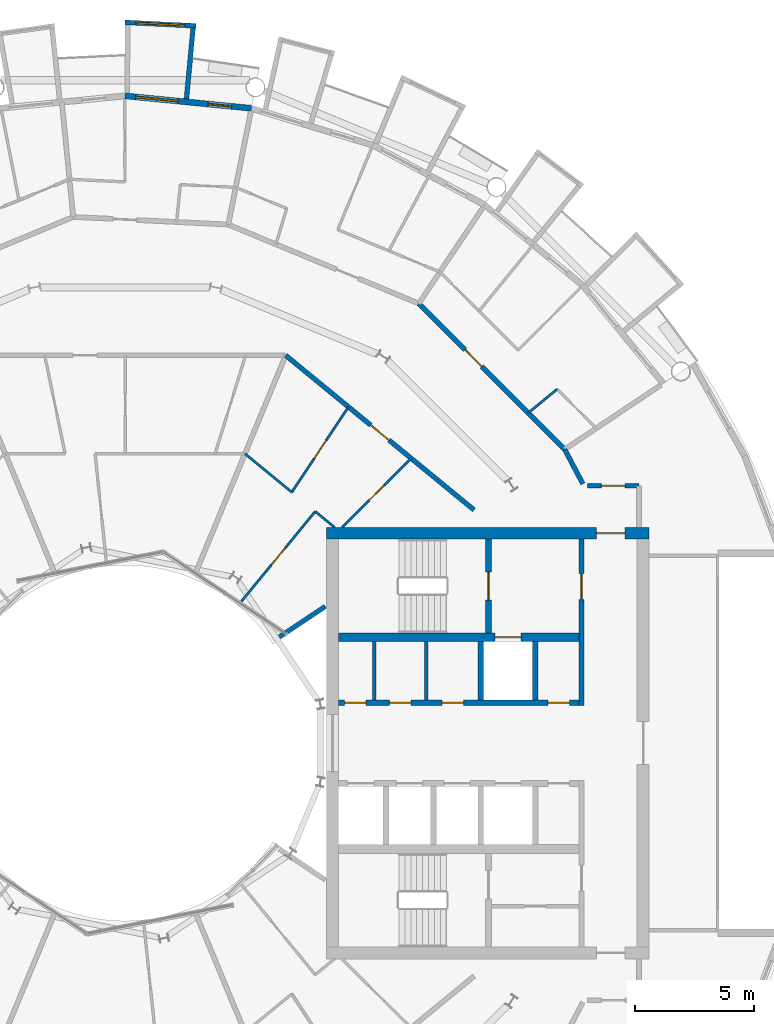
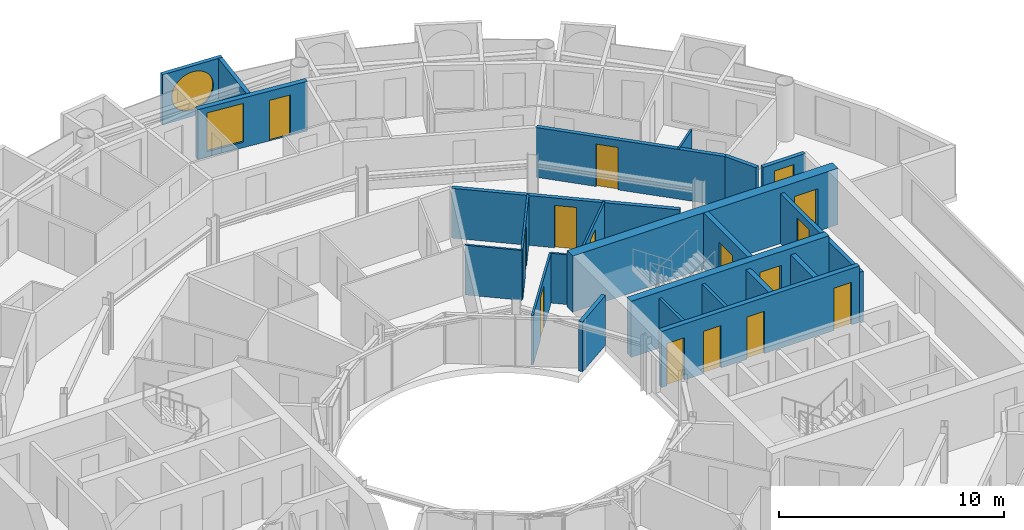
# One storey, part 22 of 28: 23 walls, 15 doors, 2 windows, 17 openings.
"""IFC4 building model written with IfcOpenShell, lengths in metres."""

from ifc_helpers import new_model, si_unit, direction, frame, frame_2d, origin, place, context, subcontext, project, spatial, rectangle, circle, extrude, material, layer, layer_set, type_object, element, fill, save


model = new_model("IFC4")

# Units and contexts
model_context = context("Model", 3, precision=1e-05, world=origin(), true_north=direction((0.0, 1.0)))
body_context = subcontext(model_context, "Body", "Model", "MODEL_VIEW")
ifc_project = project(units=[si_unit("LENGTHUNIT", "METRE"), si_unit("AREAUNIT", "SQUARE_METRE"), si_unit("VOLUMEUNIT", "CUBIC_METRE"), si_unit("PLANEANGLEUNIT", "RADIAN"), si_unit("MASSUNIT", "GRAM", prefix="KILO")], contexts=[model_context])

# Site, building, storey
site_placement = place(None, origin())
site = spatial("IfcSite", under=ifc_project, at=site_placement, CompositionType="ELEMENT")
building_placement = place(site_placement, origin())
building = spatial("IfcBuilding", under=site, at=building_placement, Name="Maasbend Ring Residences", CompositionType="ELEMENT")
storey_placement = place(building_placement, frame((0.0, 0.0, 173.800048828125)))
storey = spatial("IfcBuildingStorey", under=building, at=storey_placement, Name="L50", CompositionType="ELEMENT", Elevation=173.800048828125)

# Wall, openings, doors
ifc_material_1 = material(Name="Concrete C60/75", Category="concrete")
ifc_layer_1 = layer(ifc_material_1, 0.25)
ifc_layer_set_1 = layer_set([ifc_layer_1], Name="Concrete C60/75")
wall_type_1 = type_object("IfcWallType", Name="CORE WALL 250 C60/75", PredefinedType="SHEAR", material=ifc_layer_set_1)
wall_1_placement = place(storey_placement, frame((9.0, 1.699951171875, 0.0), z_axis=(0.0, 0.0, 1.0), x_axis=(1.0, 0.0, 0.0)))
wall_1 = element("IfcWall", 1, at=wall_1_placement, inside=storey, type_object=wall_type_1, Name="L50 core E wall SPN", PredefinedType="SHEAR", context=body_context, shape_type="SweptSolid", body=[
    extrude(rectangle(XDim=10.14990234375, YDim=0.25, at=frame_2d((5.074951171875, 0.0))), origin(), (0.0, 0.0, 1.0), 3.050048828125),
])
opening_1_placement = place(wall_1_placement, frame((0.262451171875, 0.0, 0.0)))
opening_1 = element("IfcOpeningElement", 2, at=opening_1_placement, cuts=wall_1, Name="Opening D-E5006", PredefinedType="OPENING", context=body_context, shape_type="SweptSolid", body=[
    extrude(rectangle(XDim=0.89990234375, YDim=2.300048828125, at=frame_2d((0.449951171875, 1.14990234375))), frame((0.0, 0.135009765625, 0.0), z_axis=(0.0, -1.0, 0.0), x_axis=(1.0, 0.0, 0.0)), (0.0, 0.0, 1.0), 0.27001953125),
])
opening_2_placement = place(wall_1_placement, frame((2.14990234375, 0.0, 0.0)))
opening_2 = element("IfcOpeningElement", 3, at=opening_2_placement, cuts=wall_1, Name="Opening D-E5007", PredefinedType="OPENING", context=body_context, shape_type="SweptSolid", body=[
    extrude(rectangle(XDim=0.89990234375, YDim=2.300048828125, at=frame_2d((0.449951171875, 1.14990234375))), frame((0.0, 0.135009765625, 0.0), z_axis=(0.0, -1.0, 0.0), x_axis=(1.0, 0.0, 0.0)), (0.0, 0.0, 1.0), 0.27001953125),
])
opening_3_placement = place(wall_1_placement, frame((4.375, 0.0, 0.0)))
opening_3 = element("IfcOpeningElement", 4, at=opening_3_placement, cuts=wall_1, Name="Opening D-E5008", PredefinedType="OPENING", context=body_context, shape_type="SweptSolid", body=[
    extrude(rectangle(XDim=0.89990234375, YDim=2.300048828125, at=frame_2d((0.449951171875, 1.14990234375))), frame((0.0, 0.135009765625, 0.0), z_axis=(0.0, -1.0, 0.0), x_axis=(1.0, 0.0, 0.0)), (0.0, 0.0, 1.0), 0.27001953125),
])
opening_4_placement = place(wall_1_placement, frame((8.83740234375, 0.0, 0.0)))
opening_4 = element("IfcOpeningElement", 5, at=opening_4_placement, cuts=wall_1, Name="Opening D-E5009", PredefinedType="OPENING", context=body_context, shape_type="SweptSolid", body=[
    extrude(rectangle(XDim=0.89990234375, YDim=2.300048828125, at=frame_2d((0.449951171875, 1.14990234375))), frame((0.0, 0.135009765625, 0.0), z_axis=(0.0, -1.0, 0.0), x_axis=(1.0, 0.0, 0.0)), (0.0, 0.0, 1.0), 0.27001953125),
])
ifc_material_2 = material(Name="Steel, powder coated", Category="steel")
door_type_1 = type_object("IfcDoorType", Name="ROOM DOOR 900 X 2300 FD30S", OperationType="NOTDEFINED", PredefinedType="DOOR", material=ifc_material_2)
door_1_placement = place(opening_1_placement, origin())
door_1 = element("IfcDoor", 6, at=door_1_placement, inside=storey, type_object=door_type_1, Name="Room door L50", OperationType="SINGLE_SWING_RIGHT", OverallHeight=2.300048828125, OverallWidth=0.89990234375, PredefinedType="DOOR", context=body_context, shape_type="SweptSolid", body=[
    extrude(rectangle(XDim=0.89990234375, YDim=2.300048828125, at=frame_2d((0.449951171875, 1.14990234375))), frame((0.0, 0.02490234375, 0.0), z_axis=(0.0, -1.0, 0.0), x_axis=(1.0, 0.0, 0.0)), (0.0, 0.0, 1.0), 0.050048828125),
])
fill(opening_1, door_1)
door_2_placement = place(opening_2_placement, origin())
door_2 = element("IfcDoor", 7, at=door_2_placement, inside=storey, type_object=door_type_1, Name="Room door L50", OperationType="SINGLE_SWING_RIGHT", OverallHeight=2.300048828125, OverallWidth=0.89990234375, PredefinedType="DOOR", context=body_context, shape_type="SweptSolid", body=[
    extrude(rectangle(XDim=0.89990234375, YDim=2.300048828125, at=frame_2d((0.449951171875, 1.14990234375))), frame((0.0, 0.02490234375, 0.0), z_axis=(0.0, -1.0, 0.0), x_axis=(1.0, 0.0, 0.0)), (0.0, 0.0, 1.0), 0.050048828125),
])
fill(opening_2, door_2)
door_3_placement = place(opening_3_placement, origin())
door_3 = element("IfcDoor", 8, at=door_3_placement, inside=storey, type_object=door_type_1, Name="Room door L50", OperationType="SINGLE_SWING_RIGHT", OverallHeight=2.300048828125, OverallWidth=0.89990234375, PredefinedType="DOOR", context=body_context, shape_type="SweptSolid", body=[
    extrude(rectangle(XDim=0.89990234375, YDim=2.300048828125, at=frame_2d((0.449951171875, 1.14990234375))), frame((0.0, 0.02490234375, 0.0), z_axis=(0.0, -1.0, 0.0), x_axis=(1.0, 0.0, 0.0)), (0.0, 0.0, 1.0), 0.050048828125),
])
fill(opening_3, door_3)
door_4_placement = place(opening_4_placement, origin())
door_4 = element("IfcDoor", 9, at=door_4_placement, inside=storey, type_object=door_type_1, Name="Room door L50", OperationType="SINGLE_SWING_LEFT", OverallHeight=2.300048828125, OverallWidth=0.89990234375, PredefinedType="DOOR", context=body_context, shape_type="SweptSolid", body=[
    extrude(rectangle(XDim=0.89990234375, YDim=2.300048828125, at=frame_2d((0.449951171875, 1.14990234375))), frame((0.0, 0.02490234375, 0.0), z_axis=(0.0, -1.0, 0.0), x_axis=(1.0, 0.0, 0.0)), (0.0, 0.0, 1.0), 0.050048828125),
])
fill(opening_4, door_4)

# Wall, opening, door
wall_2_placement = place(storey_placement, frame((15.324951171875, 4.64990234375, 0.0), z_axis=(0.0, 0.0, 1.0), x_axis=(0.0, 1.0, 0.0)))
wall_2 = element("IfcWall", 10, at=wall_2_placement, inside=storey, type_object=wall_type_1, Name="L50 core E wall STEN", PredefinedType="SHEAR", context=body_context, shape_type="SweptSolid", body=[
    extrude(rectangle(XDim=3.9501953125, YDim=0.25, at=frame_2d((1.97509765625, 0.0))), origin(), (0.0, 0.0, 1.0), 3.050048828125),
])
opening_5_placement = place(wall_2_placement, frame((1.375, 0.0, 0.0)))
opening_5 = element("IfcOpeningElement", 11, at=opening_5_placement, cuts=wall_2, Name="Opening D-E5012", PredefinedType="OPENING", context=body_context, shape_type="SweptSolid", body=[
    extrude(rectangle(XDim=1.199951171875, YDim=2.300048828125, at=frame_2d((0.60009765625, 1.14990234375))), frame((0.0, 0.135009765625, 0.0), z_axis=(0.0, -1.0, 0.0), x_axis=(1.0, 0.0, 0.0)), (0.0, 0.0, 1.0), 0.27001953125),
])
ifc_material_3 = material(Name="Steel, powder coated", Category="steel")
door_type_2 = type_object("IfcDoorType", Name="STAIR DOOR 1200 X 2300 FD60", OperationType="NOTDEFINED", PredefinedType="DOOR", material=ifc_material_3)
door_5_placement = place(opening_5_placement, origin())
door_5 = element("IfcDoor", 12, at=door_5_placement, inside=storey, type_object=door_type_2, Name="Stair door ST-E L50", OperationType="SINGLE_SWING_LEFT", OverallHeight=2.300048828125, OverallWidth=1.199951171875, PredefinedType="DOOR", context=body_context, shape_type="SweptSolid", body=[
    extrude(rectangle(XDim=1.199951171875, YDim=2.300048828125, at=frame_2d((0.60009765625, 1.14990234375))), frame((0.0, 0.02490234375, 0.0), z_axis=(0.0, -1.0, 0.0), x_axis=(1.0, 0.0, 0.0)), (0.0, 0.0, 1.0), 0.050048828125),
])
fill(opening_5, door_5)

ifc_material_4 = material(Name="Concrete C60/75", Category="concrete")
ifc_layer_2 = layer(ifc_material_4, 0.375)
ifc_layer_set_2 = layer_set([ifc_layer_2], Name="Concrete C60/75")
wall_type_2 = type_object("IfcWallType", Name="CORE WALL 375 C60/75", PredefinedType="SHEAR", material=ifc_layer_set_2)
wall_3_placement = place(storey_placement, frame((9.0, 4.46240234375, 0.0), z_axis=(0.0, 0.0, 1.0), x_axis=(1.0, 0.0, 0.0)))
wall_3 = element("IfcWall", 13, at=wall_3_placement, inside=storey, type_object=wall_type_2, Name="L50 core E wall BN", PredefinedType="SHEAR", context=body_context, shape_type="SweptSolid", body=[
    extrude(rectangle(XDim=10.14990234375, YDim=0.375, at=frame_2d((5.074951171875, 0.0))), origin(), (0.0, 0.0, 1.0), 3.050048828125),
])
opening_6_placement = place(wall_3_placement, frame((6.60009765625, 0.0, 0.0)))
opening_6 = element("IfcOpeningElement", 14, at=opening_6_placement, cuts=wall_3, Name="Opening LD-E5001", PredefinedType="OPENING", context=body_context, shape_type="SweptSolid", body=[
    extrude(rectangle(XDim=1.10009765625, YDim=2.300048828125, at=frame_2d((0.550048828125, 1.14990234375))), frame((0.0, 0.197509765625, 0.0), z_axis=(0.0, -1.0, 0.0), x_axis=(1.0, 0.0, 0.0)), (0.0, 0.0, 1.0), 0.39501953125),
])
ifc_material_5 = material(Name="Stainless steel 316", Category="steel")
door_type_3 = type_object("IfcDoorType", Name="LANDING DOOR 1100 X 2300 FD60", OperationType="DOUBLE_DOOR_SLIDING", PredefinedType="DOOR", material=ifc_material_5)
door_6_placement = place(opening_6_placement, origin())
door_6 = element("IfcDoor", 15, at=door_6_placement, inside=storey, type_object=door_type_3, Name="Landing door FF-E L50", OperationType="DOUBLE_DOOR_SLIDING", OverallHeight=2.300048828125, OverallWidth=1.10009765625, PredefinedType="DOOR", context=body_context, shape_type="SweptSolid", body=[
    extrude(rectangle(XDim=1.10009765625, YDim=2.300048828125, at=frame_2d((0.550048828125, 1.14990234375))), frame((0.0, 0.02490234375, 0.0), z_axis=(0.0, -1.0, 0.0), x_axis=(1.0, 0.0, 0.0)), (0.0, 0.0, 1.0), 0.050048828125),
])
fill(opening_6, door_6)

ifc_material_6 = material(Name="Concrete C60/75", Category="concrete")
ifc_layer_3 = layer(ifc_material_6, 0.5)
ifc_layer_set_3 = layer_set([ifc_layer_3], Name="Concrete C60/75")
wall_type_3 = type_object("IfcWallType", Name="CORE WALL 500 C60/75", PredefinedType="SHEAR", material=ifc_layer_set_3)
wall_4_placement = place(storey_placement, frame((22.10009765625, 8.85009765625, 0.0), z_axis=(0.0, 0.0, 1.0), x_axis=(-1.0, 0.0, 0.0)))
wall_4 = element("IfcWall", 16, at=wall_4_placement, inside=storey, type_object=wall_type_3, Name="L50 core E wall PN", PredefinedType="SHEAR", context=body_context, shape_type="SweptSolid", body=[
    extrude(rectangle(XDim=13.60009765625, YDim=0.5, at=frame_2d((6.800048828125, 0.0))), origin(), (0.0, 0.0, 1.0), 3.050048828125),
])
opening_7_placement = place(wall_4_placement, frame((1.02490234375, 0.0, 0.0)))
opening_7 = element("IfcOpeningElement", 17, at=opening_7_placement, cuts=wall_4, Name="Opening D-E5016", PredefinedType="OPENING", context=body_context, shape_type="SweptSolid", body=[
    extrude(rectangle(XDim=1.199951171875, YDim=2.300048828125, at=frame_2d((0.60009765625, 1.14990234375))), frame((0.0, 0.260009765625, 0.0), z_axis=(0.0, -1.0, 0.0), x_axis=(1.0, 0.0, 0.0)), (0.0, 0.0, 1.0), 0.52001953125),
])
ifc_material_7 = material(Name="Steel, powder coated", Category="steel")
door_type_4 = type_object("IfcDoorType", Name="CORRIDOR DOOR 1200 X 2300 FD30S", OperationType="NOTDEFINED", PredefinedType="DOOR", material=ifc_material_7)
door_7_placement = place(opening_7_placement, origin())
door_7 = element("IfcDoor", 18, at=door_7_placement, inside=storey, type_object=door_type_4, Name="Corridor door L50", OperationType="SINGLE_SWING_RIGHT", OverallHeight=2.300048828125, OverallWidth=1.199951171875, PredefinedType="DOOR", context=body_context, shape_type="SweptSolid", body=[
    extrude(rectangle(XDim=1.199951171875, YDim=2.300048828125, at=frame_2d((0.60009765625, 1.14990234375))), frame((0.0, 0.02490234375, 0.0), z_axis=(0.0, -1.0, 0.0), x_axis=(1.0, 0.0, 0.0)), (0.0, 0.0, 1.0), 0.050048828125),
])
fill(opening_7, door_7)

ifc_material_8 = material(Name="Concrete C30/37", Category="concrete")
ifc_layer_4 = layer(ifc_material_8, 0.199951171875)
ifc_layer_set_4 = layer_set([ifc_layer_4], Name="Concrete C30/37")
wall_type_4 = type_object("IfcWallType", Name="CORRIDOR WALL 200 CONCRETE", PredefinedType="PARTITIONING", material=ifc_layer_set_4)
wall_5_placement = place(storey_placement, frame((19.50390625, 10.85009765625, 0.0), z_axis=(0.0, 0.0, 1.0), x_axis=(1.0, 0.0, 0.0)))
wall_5 = element("IfcWall", 19, at=wall_5_placement, inside=storey, type_object=wall_type_4, Name="U-L50-w097", PredefinedType="PARTITIONING", context=body_context, shape_type="SweptSolid", body=[
    extrude(rectangle(XDim=2.171142578125, YDim=0.199951171875, at=frame_2d((1.08544921875, 0.0))), origin(), (0.0, 0.0, 1.0), 2.699951171875),
])
opening_8_placement = place(wall_5_placement, frame((0.5849609375, 0.0, 0.0)))
opening_8 = element("IfcOpeningElement", 20, at=opening_8_placement, cuts=wall_5, Name="Opening D-5068", PredefinedType="OPENING", context=body_context, shape_type="SweptSolid", body=[
    extrude(rectangle(XDim=1.0, YDim=2.300048828125, at=frame_2d((0.5, 1.14990234375))), frame((0.0, 0.10986328125, 0.0), z_axis=(0.0, -1.0, 0.0), x_axis=(1.0, 0.0, 0.0)), (0.0, 0.0, 1.0), 0.219970703125),
])
ifc_material_9 = material(Name="Timber, painted", Category="wood")
door_type_5 = type_object("IfcDoorType", Name="ROOM DOOR 1000 X 2300", OperationType="NOTDEFINED", PredefinedType="DOOR", material=ifc_material_9)
door_8_placement = place(opening_8_placement, origin())
door_8 = element("IfcDoor", 21, at=door_8_placement, inside=storey, type_object=door_type_5, Name="D-5068", OperationType="SINGLE_SWING_LEFT", OverallHeight=2.300048828125, OverallWidth=1.0, PredefinedType="DOOR", context=body_context, shape_type="SweptSolid", body=[
    extrude(rectangle(XDim=1.0, YDim=2.300048828125, at=frame_2d((0.5, 1.14990234375))), frame((0.0, 0.02490234375, 0.0), z_axis=(0.0, -1.0, 0.0), x_axis=(1.0, 0.0, 0.0)), (0.0, 0.0, 1.0), 0.050048828125),
])
fill(opening_8, door_8)

wall_6_placement = place(storey_placement, frame((6.77294921875, 16.35302734375, 0.0), z_axis=(0.0, 0.0, 1.0), x_axis=(0.773034536097, -0.634363938131, 0.0)))
wall_6 = element("IfcWall", 22, at=wall_6_placement, inside=storey, type_object=wall_type_4, Name="U-L50-w106", PredefinedType="PARTITIONING", context=body_context, shape_type="SweptSolid", body=[
    extrude(rectangle(XDim=10.276611328125, YDim=0.199951171875, at=frame_2d((5.13818359375, 0.0))), origin(), (0.0, 0.0, 1.0), 2.699951171875),
])
opening_9_placement = place(wall_6_placement, frame((4.637939453125, 0.0, 0.0)))
opening_9 = element("IfcOpeningElement", 23, at=opening_9_placement, cuts=wall_6, Name="Opening D-5020", PredefinedType="OPENING", context=body_context, shape_type="SweptSolid", body=[
    extrude(rectangle(XDim=1.0, YDim=2.300048828125, at=frame_2d((0.5, 1.14990234375))), frame((0.0, 0.10986328125, 0.0), z_axis=(0.0, -1.0, 0.0), x_axis=(1.0, 0.0, 0.0)), (0.0, 0.0, 1.0), 0.219970703125),
])
ifc_material_10 = material(Name="Timber, fire-rated, painted", Category="wood")
door_type_6 = type_object("IfcDoorType", Name="FLAT ENTRANCE DOOR 1000 X 2300 FIRE-RATED", OperationType="NOTDEFINED", PredefinedType="DOOR", material=ifc_material_10)
door_9_placement = place(opening_9_placement, origin())
door_9 = element("IfcDoor", 24, at=door_9_placement, inside=storey, type_object=door_type_6, Name="D-5020", OperationType="SINGLE_SWING_RIGHT", OverallHeight=2.300048828125, OverallWidth=1.0, PredefinedType="DOOR", context=body_context, shape_type="SweptSolid", body=[
    extrude(rectangle(XDim=1.0, YDim=2.300048828125, at=frame_2d((0.5, 1.14990234375))), frame((0.0, 0.02490234375, 0.0), z_axis=(0.0, -1.0, 0.0), x_axis=(1.0, 0.0, 0.0)), (0.0, 0.0, 1.0), 0.050048828125),
])
fill(opening_9, door_9)

wall_7_placement = place(storey_placement, frame((12.388916015625, 18.5419921875, 0.0), z_axis=(0.0, 0.0, 1.0), x_axis=(0.707106781187, -0.707106781187, 0.0)))
wall_7 = element("IfcWall", 25, at=wall_7_placement, inside=storey, type_object=wall_type_4, Name="U-L50-w111", PredefinedType="PARTITIONING", context=body_context, shape_type="SweptSolid", body=[
    extrude(rectangle(XDim=8.70166015625, YDim=0.199951171875, at=frame_2d((4.350830078125, 0.0))), origin(), (0.0, 0.0, 1.0), 2.699951171875),
])
opening_10_placement = place(wall_7_placement, frame((2.762939453125, 0.0, 0.0)))
opening_10 = element("IfcOpeningElement", 26, at=opening_10_placement, cuts=wall_7, Name="Opening D-5001", PredefinedType="OPENING", context=body_context, shape_type="SweptSolid", body=[
    extrude(rectangle(XDim=1.0, YDim=2.300048828125, at=frame_2d((0.5, 1.14990234375))), frame((0.0, 0.10986328125, 0.0), z_axis=(0.0, -1.0, 0.0), x_axis=(1.0, 0.0, 0.0)), (0.0, 0.0, 1.0), 0.219970703125),
])
door_10_placement = place(opening_10_placement, origin())
door_10 = element("IfcDoor", 27, at=door_10_placement, inside=storey, type_object=door_type_6, Name="D-5001", OperationType="SINGLE_SWING_LEFT", OverallHeight=2.300048828125, OverallWidth=1.0, PredefinedType="DOOR", context=body_context, shape_type="SweptSolid", body=[
    extrude(rectangle(XDim=1.0, YDim=2.300048828125, at=frame_2d((0.5, 1.14990234375))), frame((0.0, 0.02490234375, 0.0), z_axis=(0.0, -1.0, 0.0), x_axis=(1.0, 0.0, 0.0)), (0.0, 0.0, 1.0), 0.050048828125),
])
fill(opening_10, door_10)

# Wall
wall_8_placement = place(storey_placement, frame((18.5419921875, 12.388916015625, 0.0), z_axis=(0.0, 0.0, 1.0), x_axis=(0.465605550524, -0.884992356646, 0.0)))
element("IfcWall", 28, at=wall_8_placement, inside=storey, type_object=wall_type_4, Name="U-L50-w115", PredefinedType="PARTITIONING", context=body_context, shape_type="SweptSolid", body=[
    extrude(rectangle(XDim=1.642822265625, YDim=0.199951171875, at=frame_2d((0.8212890625, 0.0))), origin(), (0.0, 0.0, 1.0), 2.699951171875),
])

# Wall, opening, window
ifc_material_11 = material(Name="Pale anodised aluminium panel", Category="aluminium")
ifc_layer_5 = layer(ifc_material_11, 0.199951171875)
ifc_layer_set_5 = layer_set([ifc_layer_5], Name="EW-BOX")
wall_type_5 = type_object("IfcWallType", Name="EW-BOX", PredefinedType="SOLIDWALL", material=ifc_layer_set_5)
wall_9_placement = place(storey_placement, frame((2.985107421875, 30.2529296875, -0.030029296875), z_axis=(0.0, 0.0, 1.0), x_axis=(-0.998794083011, 0.049095618353, 0.0)))
wall_9 = element("IfcWall", 29, at=wall_9_placement, inside=storey, type_object=wall_type_5, Name="Box front N10", PredefinedType="SOLIDWALL", context=body_context, shape_type="SweptSolid", body=[
    extrude(rectangle(XDim=2.99365234375, YDim=0.199951171875, at=frame_2d((1.496826171875, 0.0))), origin(), (0.0, 0.0, 1.0), 2.72998046875),
])
opening_11_placement = place(wall_9_placement, frame((0.45654296875, 0.0, 0.330078125)))
opening_11 = element("IfcOpeningElement", 30, at=opening_11_placement, cuts=wall_9, Name="Opening W-RD", PredefinedType="OPENING", context=body_context, shape_type="SweptSolid", body=[
    extrude(circle(Radius=1.0400390625, at=frame_2d((1.0400390625, 1.0400390625))), frame((0.0, 0.10986328125, 0.0), z_axis=(0.0, -1.0, 0.0), x_axis=(1.0, 0.0, 0.0)), (0.0, 0.0, 1.0), 0.219970703125),
])
ifc_material_12 = material(Name="Aluminium and clear glass", Category="aluminium")
window_type_1 = type_object("IfcWindowType", Name="W-RD", PartitioningType="SINGLE_PANEL", PredefinedType="WINDOW", material=ifc_material_12)
window_1_placement = place(opening_11_placement, origin())
window_1 = element("IfcWindow", 31, at=window_1_placement, inside=storey, type_object=window_type_1, Name="Round window N10", OverallHeight=2.080078125, OverallWidth=2.080078125, PartitioningType="SINGLE_PANEL", PredefinedType="WINDOW", context=body_context, shape_type="SweptSolid", body=[
    extrude(circle(Radius=1.0400390625, at=frame_2d((1.0400390625, 1.0400390625))), frame((0.0, 0.030029296875, 0.0), z_axis=(0.0, -1.0, 0.0), x_axis=(1.0, 0.0, 0.0)), (0.0, 0.0, 1.0), 0.06005859375),
])
fill(opening_11, window_1)

# Wall
wall_10_placement = place(storey_placement, frame((2.5859375, 27.1708984375, -0.030029296875), z_axis=(0.0, 0.0, 1.0), x_axis=(0.094548432284, 0.995520262954, 0.0)))
element("IfcWall", 32, at=wall_10_placement, inside=storey, type_object=wall_type_5, Name="Box side wall N10 left", PredefinedType="SOLIDWALL", context=body_context, shape_type="SweptSolid", body=[
    extrude(rectangle(XDim=3.005615234375, YDim=0.199951171875, at=frame_2d((1.5029296875, 0.0))), origin(), (0.0, 0.0, 1.0), 2.72998046875),
])

# Wall, openings, door, window
ifc_material_13 = material(Name="Aluminium clad insulated panel", Category="aluminium")
ifc_layer_6 = layer(ifc_material_13, 0.25)
ifc_layer_set_6 = layer_set([ifc_layer_6], Name="EW-GL")
wall_type_6 = type_object("IfcWallType", Name="EW-GL", PredefinedType="SOLIDWALL", material=ifc_layer_set_6)
wall_11_placement = place(storey_placement, frame((5.325927734375, 26.77490234375, 0.0), z_axis=(0.0, 0.0, 1.0), x_axis=(-0.995173996315, 0.098126026407, 0.0)))
wall_11 = element("IfcWall", 33, at=wall_11_placement, inside=storey, type_object=wall_type_6, Name="External wall N05", PredefinedType="SOLIDWALL", context=body_context, shape_type="SweptSolid", body=[
    extrude(rectangle(XDim=5.351806640625, YDim=0.25, at=frame_2d((2.67578125, 0.0))), origin(), (0.0, 0.0, 1.0), 2.699951171875),
])
opening_12_placement = place(wall_11_placement, frame((0.841064453125, 0.0, 0.0)))
opening_12 = element("IfcOpeningElement", 34, at=opening_12_placement, cuts=wall_11, Name="Opening D-LG", PredefinedType="OPENING", context=body_context, shape_type="SweptSolid", body=[
    extrude(rectangle(XDim=1.0, YDim=2.199951171875, at=frame_2d((0.5, 1.10009765625))), frame((0.0, 0.135009765625, 0.0), z_axis=(0.0, -1.0, 0.0), x_axis=(1.0, 0.0, 0.0)), (0.0, 0.0, 1.0), 0.27001953125),
])
opening_13_placement = place(wall_11_placement, frame((3.110595703125, 0.0, 0.300048828125)))
opening_13 = element("IfcOpeningElement", 35, at=opening_13_placement, cuts=wall_11, Name="Opening W-BX", PredefinedType="OPENING", context=body_context, shape_type="SweptSolid", body=[
    extrude(rectangle(XDim=1.800048828125, YDim=2.10009765625, at=frame_2d((0.89990234375, 1.050048828125))), frame((0.0, 0.135009765625, 0.0), z_axis=(0.0, -1.0, 0.0), x_axis=(1.0, 0.0, 0.0)), (0.0, 0.0, 1.0), 0.27001953125),
])
ifc_material_14 = material(Name="Aluminium and clear glass", Category="aluminium")
door_type_7 = type_object("IfcDoorType", Name="D-LG", OperationType="SINGLE_SWING_LEFT", PredefinedType="DOOR", material=ifc_material_14)
door_11_placement = place(opening_12_placement, origin())
door_11 = element("IfcDoor", 36, at=door_11_placement, inside=storey, type_object=door_type_7, Name="Loggia door N09", OperationType="SINGLE_SWING_LEFT", OverallHeight=2.199951171875, OverallWidth=1.0, PredefinedType="DOOR", context=body_context, shape_type="SweptSolid", body=[
    extrude(rectangle(XDim=1.0, YDim=2.199951171875, at=frame_2d((0.5, 1.10009765625))), frame((0.0, 0.02490234375, 0.0), z_axis=(0.0, -1.0, 0.0), x_axis=(1.0, 0.0, 0.0)), (0.0, 0.0, 1.0), 0.050048828125),
])
fill(opening_12, door_11)
ifc_material_15 = material(Name="Aluminium and clear glass", Category="aluminium")
window_type_2 = type_object("IfcWindowType", Name="W-BX", PartitioningType="DOUBLE_PANEL_VERTICAL", PredefinedType="WINDOW", material=ifc_material_15)
window_2_placement = place(opening_13_placement, origin())
window_2 = element("IfcWindow", 37, at=window_2_placement, inside=storey, type_object=window_type_2, Name="Window N10 room to box", OverallHeight=2.10009765625, OverallWidth=1.800048828125, PartitioningType="SINGLE_PANEL", PredefinedType="WINDOW", context=body_context, shape_type="SweptSolid", body=[
    extrude(rectangle(XDim=1.800048828125, YDim=2.10009765625, at=frame_2d((0.89990234375, 1.050048828125))), frame((0.0, 0.030029296875, 0.0), z_axis=(0.0, -1.0, 0.0), x_axis=(1.0, 0.0, 0.0)), (0.0, 0.0, 1.0), 0.06005859375),
])
fill(opening_13, window_2)

# Wall
ifc_material_16 = material(Name="Gypsum board on steel studs", Category="steel")
ifc_layer_7 = layer(ifc_material_16, 0.10009765625)
ifc_layer_set_7 = layer_set([ifc_layer_7], Name="PARTITION 100 GYPSUM")
wall_type_7 = type_object("IfcWallType", Name="PARTITION 100 GYPSUM", PredefinedType="PARTITIONING", material=ifc_layer_set_7)
wall_12_placement = place(storey_placement, frame((17.00390625, 13.927001953125, 0.0), z_axis=(0.0, 0.0, 1.0), x_axis=(0.773446828454, 0.633861186344, 0.0)))
element("IfcWall", 38, at=wall_12_placement, inside=storey, type_object=wall_type_7, Name="U-L50-w032", PredefinedType="PARTITIONING", context=body_context, shape_type="SweptSolid", body=[
    extrude(rectangle(XDim=1.57763671875, YDim=0.10009765625, at=frame_2d((0.788818359375, 0.0))), origin(), (0.0, 0.0, 1.0), 2.699951171875),
])

# Wall, opening, door
wall_13_placement = place(storey_placement, frame((4.89794921875, 5.968017578125, 0.0), z_axis=(0.0, 0.0, 1.0), x_axis=(0.634401778971, 0.773003481776, 0.0)))
wall_13 = element("IfcWall", 39, at=wall_13_placement, inside=storey, type_object=wall_type_7, Name="U-L50-w074", PredefinedType="PARTITIONING", context=body_context, shape_type="SweptSolid", body=[
    extrude(rectangle(XDim=4.919677734375, YDim=0.10009765625, at=frame_2d((2.4599609375, 0.0))), origin(), (0.0, 0.0, 1.0), 2.699951171875),
])
opening_14_placement = place(wall_13_placement, frame((2.010009765625, 0.0, 0.0)))
opening_14 = element("IfcOpeningElement", 40, at=opening_14_placement, cuts=wall_13, Name="Opening D-5023", PredefinedType="OPENING", context=body_context, shape_type="SweptSolid", body=[
    extrude(rectangle(XDim=0.89990234375, YDim=2.300048828125, at=frame_2d((0.449951171875, 1.14990234375))), frame((0.0, 0.06005859375, 0.0), z_axis=(0.0, -1.0, 0.0), x_axis=(1.0, 0.0, 0.0)), (0.0, 0.0, 1.0), 0.1201171875),
])
ifc_material_17 = material(Name="Timber, painted", Category="wood")
door_type_8 = type_object("IfcDoorType", Name="INTERNAL DOOR 900 X 2300", OperationType="NOTDEFINED", PredefinedType="DOOR", material=ifc_material_17)
door_12_placement = place(opening_14_placement, origin())
door_12 = element("IfcDoor", 41, at=door_12_placement, inside=storey, type_object=door_type_8, Name="D-5023", OperationType="SINGLE_SWING_RIGHT", OverallHeight=2.300048828125, OverallWidth=0.89990234375, PredefinedType="DOOR", context=body_context, shape_type="SweptSolid", body=[
    extrude(rectangle(XDim=0.89990234375, YDim=2.300048828125, at=frame_2d((0.449951171875, 1.14990234375))), frame((0.0, 0.02490234375, 0.0), z_axis=(0.0, -1.0, 0.0), x_axis=(1.0, 0.0, 0.0)), (0.0, 0.0, 1.0), 0.050048828125),
])
fill(opening_14, door_12)

wall_14_placement = place(storey_placement, frame((7.031005859375, 10.58203125, 0.0), z_axis=(0.0, 0.0, 1.0), x_axis=(0.553303732327, 0.832979579457, 0.0)))
wall_14 = element("IfcWall", 42, at=wall_14_placement, inside=storey, type_object=wall_type_7, Name="U-L50-w077", PredefinedType="PARTITIONING", context=body_context, shape_type="SweptSolid", body=[
    extrude(rectangle(XDim=4.3193359375, YDim=0.10009765625, at=frame_2d((2.15966796875, 0.0))), origin(), (0.0, 0.0, 1.0), 2.699951171875),
])
opening_15_placement = place(wall_14_placement, frame((1.7099609375, 0.0, 0.0)))
opening_15 = element("IfcOpeningElement", 43, at=opening_15_placement, cuts=wall_14, Name="Opening D-5021", PredefinedType="OPENING", context=body_context, shape_type="SweptSolid", body=[
    extrude(rectangle(XDim=0.89990234375, YDim=2.300048828125, at=frame_2d((0.449951171875, 1.14990234375))), frame((0.0, 0.06005859375, 0.0), z_axis=(0.0, -1.0, 0.0), x_axis=(1.0, 0.0, 0.0)), (0.0, 0.0, 1.0), 0.1201171875),
])
door_13_placement = place(opening_15_placement, origin())
door_13 = element("IfcDoor", 44, at=door_13_placement, inside=storey, type_object=door_type_8, Name="D-5021", OperationType="SINGLE_SWING_LEFT", OverallHeight=2.300048828125, OverallWidth=0.89990234375, PredefinedType="DOOR", context=body_context, shape_type="SweptSolid", body=[
    extrude(rectangle(XDim=0.89990234375, YDim=2.300048828125, at=frame_2d((0.449951171875, 1.14990234375))), frame((0.0, 0.02490234375, 0.0), z_axis=(0.0, -1.0, 0.0), x_axis=(1.0, 0.0, 0.0)), (0.0, 0.0, 1.0), 0.050048828125),
])
fill(opening_15, door_13)

wall_15_placement = place(storey_placement, frame((9.14794921875, 9.10009765625, 0.0), z_axis=(0.0, 0.0, 1.0), x_axis=(0.708822693149, 0.705386695138, 0.0)))
wall_15 = element("IfcWall", 45, at=wall_15_placement, inside=storey, type_object=wall_type_7, Name="U-L50-w081", PredefinedType="PARTITIONING", context=body_context, shape_type="SweptSolid", body=[
    extrude(rectangle(XDim=4.12109375, YDim=0.10009765625, at=frame_2d((2.060546875, 0.0))), origin(), (0.0, 0.0, 1.0), 2.699951171875),
])
opening_16_placement = place(wall_15_placement, frame((1.611083984375, 0.0, 0.0)))
opening_16 = element("IfcOpeningElement", 46, at=opening_16_placement, cuts=wall_15, Name="Opening D-5022", PredefinedType="OPENING", context=body_context, shape_type="SweptSolid", body=[
    extrude(rectangle(XDim=0.89990234375, YDim=2.300048828125, at=frame_2d((0.449951171875, 1.14990234375))), frame((0.0, 0.06005859375, 0.0), z_axis=(0.0, -1.0, 0.0), x_axis=(1.0, 0.0, 0.0)), (0.0, 0.0, 1.0), 0.1201171875),
])
door_14_placement = place(opening_16_placement, origin())
door_14 = element("IfcDoor", 47, at=door_14_placement, inside=storey, type_object=door_type_8, Name="D-5022", OperationType="SINGLE_SWING_LEFT", OverallHeight=2.300048828125, OverallWidth=0.89990234375, PredefinedType="DOOR", context=body_context, shape_type="SweptSolid", body=[
    extrude(rectangle(XDim=0.89990234375, YDim=2.300048828125, at=frame_2d((0.449951171875, 1.14990234375))), frame((0.0, 0.02490234375, 0.0), z_axis=(0.0, -1.0, 0.0), x_axis=(1.0, 0.0, 0.0)), (0.0, 0.0, 1.0), 0.050048828125),
])
fill(opening_16, door_14)

# Walls
wall_16_placement = place(storey_placement, frame((5.05810546875, 12.202880859375, 0.0), z_axis=(0.0, 0.0, 1.0), x_axis=(0.772764723682, -0.634692588449, 0.0)))
element("IfcWall", 48, at=wall_16_placement, inside=storey, type_object=wall_type_7, Name="U-L50-w102", PredefinedType="PARTITIONING", context=body_context, shape_type="SweptSolid", body=[
    extrude(rectangle(XDim=2.556884765625, YDim=0.10009765625, at=frame_2d((1.2783203125, 0.0))), origin(), (0.0, 0.0, 1.0), 2.699951171875),
])
wall_17_placement = place(storey_placement, frame((8.01904296875, 9.77099609375, 0.0), z_axis=(0.0, 0.0, 1.0), x_axis=(0.772730269942, -0.634734534995, 0.0)))
element("IfcWall", 49, at=wall_17_placement, inside=storey, type_object=wall_type_7, Name="U-L50-w103", PredefinedType="PARTITIONING", context=body_context, shape_type="SweptSolid", body=[
    extrude(rectangle(XDim=1.06494140625, YDim=0.10009765625, at=frame_2d((0.532470703125, 0.0))), origin(), (0.0, 0.0, 1.0), 2.699951171875),
])
ifc_material_18 = material(Name="Gypsum board on steel studs", Category="steel")
ifc_layer_8 = layer(ifc_material_18, 0.14990234375)
ifc_layer_set_8 = layer_set([ifc_layer_8], Name="PARTITION 150 EI 60")
wall_type_8 = type_object("IfcWallType", Name="PARTITION 150 EI 60", PredefinedType="PARTITIONING", material=ifc_layer_set_8)
for number, where, z_axis, x_axis, name in (
    (50, (10.5, 1.824951171875, 0.0), (0.0, 0.0, 1.0), (0.0, 1.0, 0.0), "L50 core E wall PRN1050"),
    (51, (12.699951171875, 1.824951171875, 0.0), (0.0, 0.0, 1.0), (0.0, 1.0, 0.0), "L50 core E wall PRN1270"),
):
    element("IfcWall", number, at=place(storey_placement, frame(where, z_axis=z_axis, x_axis=x_axis)), inside=storey, type_object=wall_type_8, Name=name, PredefinedType="PARTITIONING", context=body_context, shape_type="SweptSolid", body=[
        extrude(rectangle(XDim=2.449951171875, YDim=0.14990234375, at=frame_2d((1.22509765625, 0.0))), origin(), (0.0, 0.0, 1.0), 2.699951171875),
    ])
ifc_material_19 = material(Name="Concrete C30/37", Category="concrete")
ifc_layer_9 = layer(ifc_material_19, 0.199951171875)
ifc_layer_set_9 = layer_set([ifc_layer_9], Name="Concrete C30/37")
wall_type_9 = type_object("IfcWallType", Name="PARTY WALL 200 CONCRETE", PredefinedType="PARTITIONING", material=ifc_layer_set_9)
wall_18_placement = place(storey_placement, frame((6.512939453125, 4.471923828125, 0.0), z_axis=(0.0, 0.0, 1.0), x_axis=(0.83133816625, 0.555766905579, 0.0)))
element("IfcWall", 52, at=wall_18_placement, inside=storey, type_object=wall_type_9, Name="U-L50-w095", PredefinedType="PARTITIONING", context=body_context, shape_type="SweptSolid", body=[
    extrude(rectangle(XDim=2.322998046875, YDim=0.199951171875, at=frame_2d((1.16162109375, 0.0))), origin(), (0.0, 0.0, 1.0), 2.699951171875),
])

# Wall, opening, door
ifc_material_20 = material(Name="Concrete C30/37", Category="concrete")
ifc_layer_10 = layer(ifc_material_20, 0.199951171875)
ifc_layer_set_10 = layer_set([ifc_layer_10], Name="Concrete C30/37")
wall_type_10 = type_object("IfcWallType", Name="SHAFT WALL 200 EI 120", PredefinedType="SOLIDWALL", material=ifc_layer_set_10)
wall_19_placement = place(storey_placement, frame((19.25, 1.574951171875, 0.0), z_axis=(0.0, 0.0, 1.0), x_axis=(0.0, 1.0, 0.0)))
wall_19 = element("IfcWall", 53, at=wall_19_placement, inside=storey, type_object=wall_type_10, Name="L50 core E wall ENDN", PredefinedType="SOLIDWALL", context=body_context, shape_type="SweptSolid", body=[
    extrude(rectangle(XDim=7.025146484375, YDim=0.199951171875, at=frame_2d((3.5126953125, 0.0))), origin(), (0.0, 0.0, 1.0), 2.699951171875),
])
opening_17_placement = place(wall_19_placement, frame((4.47509765625, 0.0, 0.0)))
opening_17 = element("IfcOpeningElement", 54, at=opening_17_placement, cuts=wall_19, Name="Opening D-E5014", PredefinedType="OPENING", context=body_context, shape_type="SweptSolid", body=[
    extrude(rectangle(XDim=1.10009765625, YDim=2.300048828125, at=frame_2d((0.550048828125, 1.14990234375))), frame((0.0, 0.10986328125, 0.0), z_axis=(0.0, -1.0, 0.0), x_axis=(1.0, 0.0, 0.0)), (0.0, 0.0, 1.0), 0.219970703125),
])
ifc_material_21 = material(Name="Steel, powder coated", Category="steel")
door_type_9 = type_object("IfcDoorType", Name="LOBBY DOOR 1100 X 2300 FD60", OperationType="NOTDEFINED", PredefinedType="DOOR", material=ifc_material_21)
door_15_placement = place(opening_17_placement, origin())
door_15 = element("IfcDoor", 55, at=door_15_placement, inside=storey, type_object=door_type_9, Name="Lobby door L50", OperationType="SINGLE_SWING_LEFT", OverallHeight=2.300048828125, OverallWidth=1.10009765625, PredefinedType="DOOR", context=body_context, shape_type="SweptSolid", body=[
    extrude(rectangle(XDim=1.10009765625, YDim=2.300048828125, at=frame_2d((0.550048828125, 1.14990234375))), frame((0.0, 0.02490234375, 0.0), z_axis=(0.0, -1.0, 0.0), x_axis=(1.0, 0.0, 0.0)), (0.0, 0.0, 1.0), 0.050048828125),
])
fill(opening_17, door_15)

# Walls
ifc_material_22 = material(Name="Concrete C30/37", Category="concrete")
ifc_layer_11 = layer(ifc_material_22, 0.25)
ifc_layer_set_11 = layer_set([ifc_layer_11], Name="Concrete C30/37")
wall_type_11 = type_object("IfcWallType", Name="SHAFT WALL 250 EI 120", PredefinedType="SOLIDWALL", material=ifc_layer_set_11)
for number, where, z_axis, x_axis, name in (
    (56, (15.0, 1.824951171875, 0.0), (0.0, 0.0, 1.0), (0.0, 1.0, 0.0), "L50 core E wall D150N"),
    (57, (17.300048828125, 1.824951171875, 0.0), (0.0, 0.0, 1.0), (0.0, 1.0, 0.0), "L50 core E wall D173N"),
):
    element("IfcWall", number, at=place(storey_placement, frame(where, z_axis=z_axis, x_axis=x_axis)), inside=storey, type_object=wall_type_11, Name=name, PredefinedType="SOLIDWALL", context=body_context, shape_type="SweptSolid", body=[
        extrude(rectangle(XDim=2.449951171875, YDim=0.25, at=frame_2d((1.22509765625, 0.0))), origin(), (0.0, 0.0, 1.0), 2.699951171875),
    ])

save(model, "model.ifc")
